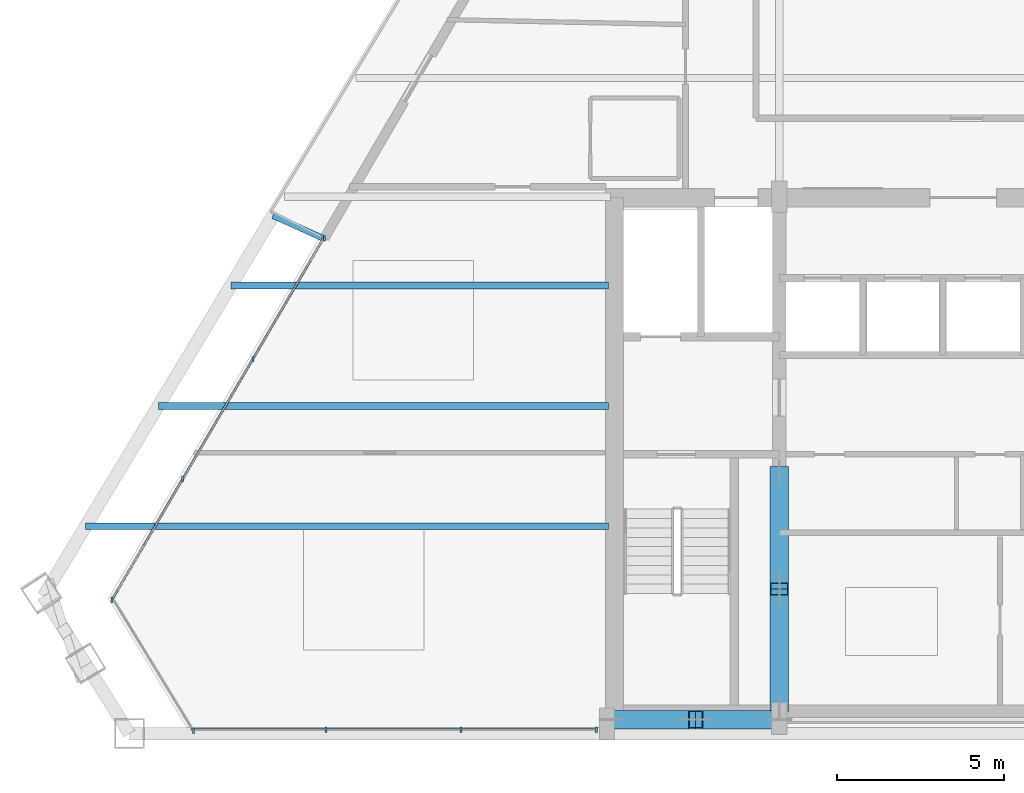
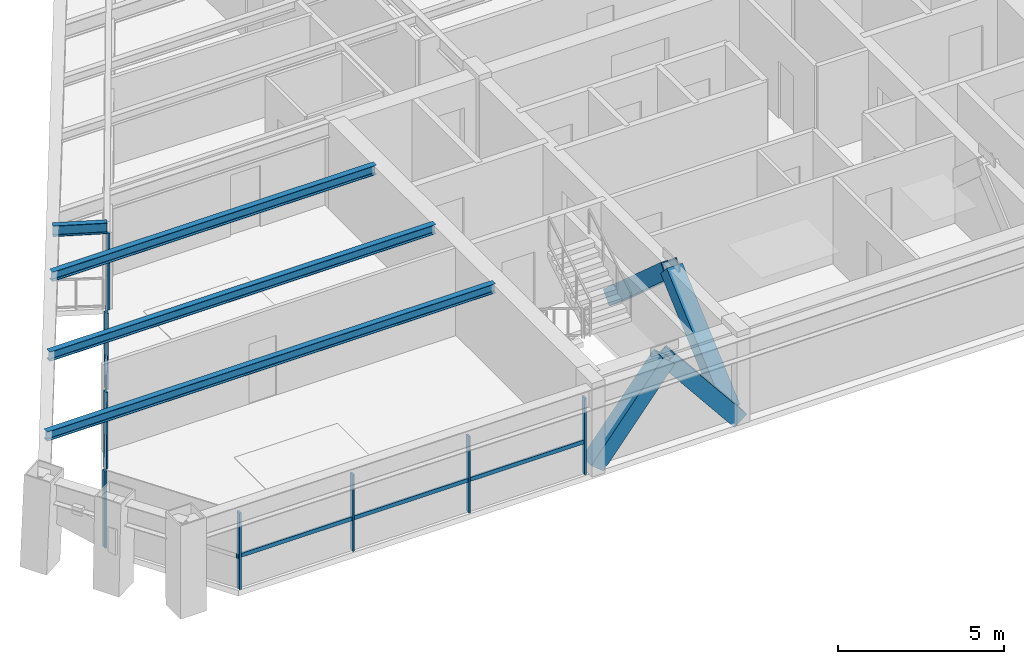
# One storey, part 2 of 13: 18 members, 4 beams, 3 elements without a shape of their own.
"""IFC4 building model written with IfcOpenShell, lengths in metres."""

from ifc_helpers import new_model, si_unit, direction, frame, origin, origin_2d, place, context, subcontext, project, spatial, rectangle, hollow_rectangle, i_section, extrude, source, transform, mapped, material, material_profile, profile_set, type_object, type_shapes, element, aggregate, save


model = new_model("IFC4")

# Units and contexts
model_context = context("Model", 3, precision=1e-05, world=origin(), true_north=direction((0.0, 1.0)))
body_context = subcontext(model_context, "Body", "Model", "MODEL_VIEW")
ifc_project = project(units=[si_unit("LENGTHUNIT", "METRE"), si_unit("AREAUNIT", "SQUARE_METRE"), si_unit("VOLUMEUNIT", "CUBIC_METRE"), si_unit("PLANEANGLEUNIT", "RADIAN"), si_unit("MASSUNIT", "GRAM", prefix="KILO")], contexts=[model_context])

# Site, building, storey
site_placement = place(None, origin())
site = spatial("IfcSite", under=ifc_project, at=site_placement, CompositionType="ELEMENT")
building_placement = place(site_placement, origin())
building = spatial("IfcBuilding", under=site, at=building_placement, Name="Varnakhor Terracotta Tower", CompositionType="ELEMENT")
storey_placement = place(building_placement, frame((0.0, 0.0, 251.050048828125)))
storey = spatial("IfcBuildingStorey", under=building, at=storey_placement, Name="L65", CompositionType="ELEMENT", Elevation=251.050048828125)

# Members
ifc_material_1 = material(Name="Steel S355", Category="steel")
ifc_material_profile_1 = material_profile(ifc_material_1, hollow_rectangle(XDim=0.550048828125, YDim=0.550048828125, WallThickness=0.034912109375, at=origin_2d()), Name="HSS550X550X35")
ifc_profile_set_1 = profile_set([ifc_material_profile_1], Name="Steel S355")
member_type_1 = type_object("IfcMemberType", Name="MBR-MEGA-550", PredefinedType="BRACE", material=ifc_profile_set_1)
shared_shape_1 = source(origin(), body_context, "Body", "SweptSolid", [
    extrude(hollow_rectangle(XDim=0.550048828125, YDim=0.550048828125, WallThickness=0.034912109375, at=origin_2d()), origin(), (0.0, 0.0, 1.0), 4.650146484375),
])
member_1_placement = place(storey_placement, frame((-5.5, 7.800048828125, 0.0), z_axis=(0.0, -0.747316617832, 0.664468112638), x_axis=(1.0, 0.0, 0.0)))
element("IfcMember", 1, at=member_1_placement, inside=storey, type_object=member_type_1, Name="L65 Core Coupled Brace CWWB", PredefinedType="BRACE", context=body_context, shape_type="MappedRepresentation", body=[
    mapped(shared_shape_1, transform((0.0, 0.0, 0.0), scale=1.0)),
])
shared_shape_2 = source(origin(), body_context, "Body", "SweptSolid", [
    extrude(hollow_rectangle(XDim=0.550048828125, YDim=0.550048828125, WallThickness=0.034912109375, at=origin_2d()), origin(), (0.0, 0.0, 1.0), 3.974609375),
])
for number, where, z_axis, x_axis, name in (
    (2, (-10.5, 0.419921875, 0.0), (0.629000299358, 0.0, 0.777405057488), (0.0, 1.0, 0.0), "L65 Core Coupled Brace CSWA"),
    (3, (-5.5, 0.419921875, 0.0), (-0.629000299358, 0.0, 0.777405057488), (0.0, -1.0, 0.0), "L65 Core Coupled Brace CSWB"),
):
    element("IfcMember", number, at=place(storey_placement, frame(where, z_axis=z_axis, x_axis=x_axis)), inside=storey, type_object=member_type_1, Name=name, PredefinedType="BRACE", context=body_context, shape_type="MappedRepresentation", body=[
        mapped(shared_shape_2, transform((0.0, 0.0, 0.0), scale=1.0)),
    ])
shared_shape_3 = source(origin(), body_context, "Body", "SweptSolid", [
    extrude(hollow_rectangle(XDim=0.550048828125, YDim=0.550048828125, WallThickness=0.034912109375, at=origin_2d()), origin(), (0.0, 0.0, 1.0), 4.64990234375),
])
member_2_placement = place(storey_placement, frame((-5.5, 0.85009765625, 0.0), z_axis=(0.0, 0.747293435799, 0.664494184182), x_axis=(-1.0, 0.0, 0.0)))
element("IfcMember", 4, at=member_2_placement, inside=storey, type_object=member_type_1, Name="L65 Core Coupled Brace CWWA", PredefinedType="BRACE", context=body_context, shape_type="MappedRepresentation", body=[
    mapped(shared_shape_3, transform((0.0, 0.0, 0.0), scale=1.0)),
])

# Beams
ifc_material_profile_2 = material_profile(ifc_material_1, i_section(OverallWidth=0.202880859375, OverallDepth=0.346923828125, WebThickness=0.0078125, FlangeThickness=0.013427734375, FilletRadius=0.01806640625, at=origin_2d()), Name="W14X43")
ifc_profile_set_2 = profile_set([ifc_material_profile_2], Name="Steel S355")
beam_type_1 = type_object("IfcBeamType", Name="JST-W14X43", PredefinedType="JOIST", material=ifc_profile_set_2)
shared_shape_4 = source(origin(), body_context, "Body", "SweptSolid", [
    extrude(i_section(OverallWidth=0.202880859375, OverallDepth=0.346923828125, WebThickness=0.0078125, FlangeThickness=0.013427734375, FilletRadius=0.01806640625, at=origin_2d()), origin(), (0.0, 0.0, 1.0), 11.29443359375),
])
beam_1_placement = place(storey_placement, frame((-21.89453125, 13.39990234375, 3.06640625), z_axis=(1.0, 0.0, 0.0), x_axis=(0.0, 1.0, 0.0)))
element("IfcBeam", 5, at=beam_1_placement, inside=storey, type_object=beam_type_1, Name="L65 Floor Joist W3", PredefinedType="JOIST", context=body_context, shape_type="MappedRepresentation", body=[
    mapped(shared_shape_4, transform((0.0, 0.0, 0.0), scale=1.0)),
])
shared_shape_5 = source(origin(), body_context, "Body", "SweptSolid", [
    extrude(i_section(OverallWidth=0.202880859375, OverallDepth=0.346923828125, WebThickness=0.0078125, FlangeThickness=0.013427734375, FilletRadius=0.01806640625, at=origin_2d()), origin(), (0.0, 0.0, 1.0), 15.6376953125),
])
beam_2_placement = place(storey_placement, frame((-26.23779296875, 6.199951171875, 3.06640625), z_axis=(1.0, 0.0, 0.0), x_axis=(0.0, 1.0, 0.0)))
element("IfcBeam", 6, at=beam_2_placement, inside=storey, type_object=beam_type_1, Name="L65 Floor Joist W1", PredefinedType="JOIST", context=body_context, shape_type="MappedRepresentation", body=[
    mapped(shared_shape_5, transform((0.0, 0.0, 0.0), scale=1.0)),
])
shared_shape_6 = source(origin(), body_context, "Body", "SweptSolid", [
    extrude(i_section(OverallWidth=0.202880859375, OverallDepth=0.346923828125, WebThickness=0.0078125, FlangeThickness=0.013427734375, FilletRadius=0.01806640625, at=origin_2d()), origin(), (0.0, 0.0, 1.0), 13.466064453125),
])
beam_3_placement = place(storey_placement, frame((-24.066162109375, 9.800048828125, 3.06640625), z_axis=(1.0, 0.0, 0.0), x_axis=(0.0, 1.0, 0.0)))
element("IfcBeam", 7, at=beam_3_placement, inside=storey, type_object=beam_type_1, Name="L65 Floor Joist W2", PredefinedType="JOIST", context=body_context, shape_type="MappedRepresentation", body=[
    mapped(shared_shape_6, transform((0.0, 0.0, 0.0), scale=1.0)),
])

# Curtain wall, members
ifc_material_2 = material(Name="Anodised Aluminium Curtain Wall System", Category="aluminium")
curtain_wall_type = type_object("IfcCurtainWallType", Name="CW-SYS-HOTEL-LOGGIA", PredefinedType="NOTDEFINED", material=ifc_material_2)
curtain_wall_1_placement = place(storey_placement, origin())
curtain_wall_1 = element("IfcCurtainWall", 8, at=curtain_wall_1_placement, inside=storey, type_object=curtain_wall_type, Name="L65 W Facet Curtain Wall 1", PredefinedType="NOTDEFINED")
ifc_material_3 = material(Name="Anodised Aluminium 6063-T6", Category="aluminium")
ifc_material_profile_3 = material_profile(ifc_material_3, rectangle(XDim=0.06494140625, YDim=0.159912109375, at=origin_2d()), Name="ALU MULLION 65x160")
ifc_profile_set_3 = profile_set([ifc_material_profile_3], Name="Anodised Aluminium 6063-T6")
member_type_2 = type_object("IfcMemberType", Name="CWM-04", PredefinedType="MULLION", material=ifc_profile_set_3)
shared_shape_7 = source(origin(), body_context, "Body", "SweptSolid", [
    extrude(rectangle(XDim=0.06494140625, YDim=0.159912109375, at=origin_2d()), origin(), (0.0, 0.0, 1.0), 2.820068359375),
])
type_shapes(member_type_2, [shared_shape_7])
member_3_placement = place(storey_placement, frame((-25.4482421875, 4.003662109375, 0.0), z_axis=(0.0, 0.0, 1.0), x_axis=(1.0, 0.0, 0.0)))
member_3 = element("IfcMember", 9, at=member_3_placement, type_object=member_type_2, Name="L65 W Facet Curtain Wall 1 Mullion 1", PredefinedType="MULLION", context=body_context, shape_type="MappedRepresentation", body=[
    mapped(shared_shape_7, transform((0.0, 0.0, 0.0), scale=1.0)),
])
member_4_placement = place(storey_placement, frame((-23.3427734375, 7.60205078125, 0.0), z_axis=(0.0, 0.0, 1.0), x_axis=(1.0, 0.0, 0.0)))
member_4 = element("IfcMember", 10, at=member_4_placement, type_object=member_type_2, Name="L65 W Facet Curtain Wall 1 Mullion 2", PredefinedType="MULLION", context=body_context, shape_type="MappedRepresentation", body=[
    mapped(shared_shape_7, transform((0.0, 0.0, 0.0), scale=1.0)),
])
member_5_placement = place(storey_placement, frame((-21.2373046875, 11.2001953125, 0.0), z_axis=(0.0, 0.0, 1.0), x_axis=(1.0, 0.0, 0.0)))
member_5 = element("IfcMember", 11, at=member_5_placement, type_object=member_type_2, Name="L65 W Facet Curtain Wall 1 Mullion 3", PredefinedType="MULLION", context=body_context, shape_type="MappedRepresentation", body=[
    mapped(shared_shape_7, transform((0.0, 0.0, 0.0), scale=1.0)),
])
member_6_placement = place(storey_placement, frame((-19.099365234375, 14.814453125, 0.0), z_axis=(0.0, 0.0, 1.0), x_axis=(1.0, 0.0, 0.0)))
member_6 = element("IfcMember", 12, at=member_6_placement, type_object=member_type_2, Name="L65 W Loggia Jamb Closure Mullion 1", PredefinedType="MULLION", context=body_context, shape_type="MappedRepresentation", body=[
    mapped(shared_shape_7, transform((0.0, 0.0, 0.0), scale=1.0)),
])

curtain_wall_2_placement = place(storey_placement, origin())
curtain_wall_2 = element("IfcCurtainWall", 13, at=curtain_wall_2_placement, inside=storey, type_object=curtain_wall_type, Name="L65 South Wing Curtain Wall SSW", PredefinedType="NOTDEFINED")
member_7_placement = place(storey_placement, frame((-10.969970703125, 0.1201171875, 0.0), z_axis=(0.0, 0.0, 1.0), x_axis=(1.0, 0.0, 0.0)))
member_7 = element("IfcMember", 14, at=member_7_placement, type_object=member_type_2, Name="L65 South Wing Curtain Wall SSW Mullion 1", PredefinedType="MULLION", context=body_context, shape_type="MappedRepresentation", body=[
    mapped(shared_shape_7, transform((0.0, 0.0, 0.0), scale=1.0)),
])
member_8_placement = place(storey_placement, frame((-15.010498046875, 0.1201171875, 0.0), z_axis=(0.0, 0.0, 1.0), x_axis=(1.0, 0.0, 0.0)))
member_8 = element("IfcMember", 15, at=member_8_placement, type_object=member_type_2, Name="L65 South Wing Curtain Wall SSW Mullion 2", PredefinedType="MULLION", context=body_context, shape_type="MappedRepresentation", body=[
    mapped(shared_shape_7, transform((0.0, 0.0, 0.0), scale=1.0)),
])
member_9_placement = place(storey_placement, frame((-19.05126953125, 0.1201171875, 0.0), z_axis=(0.0, 0.0, 1.0), x_axis=(1.0, 0.0, 0.0)))
member_9 = element("IfcMember", 16, at=member_9_placement, type_object=member_type_2, Name="L65 South Wing Curtain Wall SSW Mullion 3", PredefinedType="MULLION", context=body_context, shape_type="MappedRepresentation", body=[
    mapped(shared_shape_7, transform((0.0, 0.0, 0.0), scale=1.0)),
])

# Curtain wall, member
curtain_wall_3_placement = place(storey_placement, origin())
curtain_wall_3 = element("IfcCurtainWall", 17, at=curtain_wall_3_placement, inside=storey, type_object=curtain_wall_type, Name="L65 Facet Curtain Wall 6", PredefinedType="NOTDEFINED")
member_10_placement = place(storey_placement, frame((-23.01513671875, 0.088134765625, 0.0), z_axis=(0.0, 0.0, 1.0), x_axis=(1.0, 0.0, 0.0)))
member_10 = element("IfcMember", 18, at=member_10_placement, type_object=member_type_2, Name="L65 Facet Curtain Wall 6 Mullion 1", PredefinedType="MULLION", context=body_context, shape_type="MappedRepresentation", body=[
    mapped(shared_shape_7, transform((0.0, 0.0, 0.0), scale=1.0)),
])
aggregate(curtain_wall_3, [member_10])

# Member
ifc_material_profile_4 = material_profile(ifc_material_3, rectangle(XDim=0.06494140625, YDim=0.14501953125, at=origin_2d()), Name="ALU TRANSOM 65x145")
ifc_profile_set_4 = profile_set([ifc_material_profile_4], Name="Anodised Aluminium 6063-T6")
member_type_3 = type_object("IfcMemberType", Name="CWT-04", PredefinedType="USERDEFINED", material=ifc_profile_set_4)
shared_shape_8 = source(origin(), body_context, "Body", "SweptSolid", [
    extrude(rectangle(XDim=0.06494140625, YDim=0.14501953125, at=origin_2d()), origin(), (0.0, 0.0, 1.0), 4.04052734375),
])
member_11_placement = place(storey_placement, frame((-10.969970703125, 0.1201171875, 1.184326171875), z_axis=(-1.0, 0.0, 0.0), x_axis=(0.0, -1.0, 0.0)))
member_11 = element("IfcMember", 19, at=member_11_placement, type_object=member_type_3, Name="L65 South Wing Curtain Wall SSW Transom 1", ObjectType="TRANSOM", PredefinedType="USERDEFINED", context=body_context, shape_type="MappedRepresentation", body=[
    mapped(shared_shape_8, transform((0.0, 0.0, 0.0), scale=1.0)),
])

member_12_placement = place(storey_placement, frame((-19.05126953125, 0.1201171875, 1.184326171875), z_axis=(-1.0, 0.0, 0.0), x_axis=(0.0, -1.0, 0.0)))
member_12 = element("IfcMember", 20, at=member_12_placement, type_object=member_type_3, Name="L65 South Wing Curtain Wall SSW Transom 3", ObjectType="TRANSOM", PredefinedType="USERDEFINED", context=body_context, shape_type="MappedRepresentation", body=[
    mapped(shared_shape_8, transform((0.0, 0.0, 0.0), scale=1.0)),
])

shared_shape_9 = source(origin(), body_context, "Body", "SweptSolid", [
    extrude(rectangle(XDim=0.06494140625, YDim=0.14501953125, at=origin_2d()), origin(), (0.0, 0.0, 1.0), 4.040771484375),
])
member_13_placement = place(storey_placement, frame((-15.010498046875, 0.1201171875, 1.184326171875), z_axis=(-1.0, 0.0, 0.0), x_axis=(0.0, -1.0, 0.0)))
member_13 = element("IfcMember", 21, at=member_13_placement, type_object=member_type_3, Name="L65 South Wing Curtain Wall SSW Transom 2", ObjectType="TRANSOM", PredefinedType="USERDEFINED", context=body_context, shape_type="MappedRepresentation", body=[
    mapped(shared_shape_9, transform((0.0, 0.0, 0.0), scale=1.0)),
])

aggregate(curtain_wall_2, [member_7, member_11, member_8, member_13, member_9, member_12])

shared_shape_10 = source(origin(), body_context, "Body", "SweptSolid", [
    extrude(rectangle(XDim=0.06494140625, YDim=0.14501953125, at=origin_2d()), origin(), (0.0, 0.0, 1.0), 4.169189453125),
])
member_14_placement = place(storey_placement, frame((-25.4482421875, 4.003662109375, 1.184326171875), z_axis=(0.505017498829, 0.863109104272, 0.0), x_axis=(-0.863109104272, 0.505017498829, 0.0)))
member_14 = element("IfcMember", 22, at=member_14_placement, type_object=member_type_3, Name="L65 W Facet Curtain Wall 1 Transom 1", ObjectType="TRANSOM", PredefinedType="USERDEFINED", context=body_context, shape_type="MappedRepresentation", body=[
    mapped(shared_shape_10, transform((0.0, 0.0, 0.0), scale=1.0)),
])

member_15_placement = place(storey_placement, frame((-21.2373046875, 11.2001953125, 1.184326171875), z_axis=(0.505061121254, 0.863083578686, 0.0), x_axis=(-0.863083578686, 0.505061121254, 0.0)))
member_15 = element("IfcMember", 23, at=member_15_placement, type_object=member_type_3, Name="L65 W Facet Curtain Wall 1 Transom 3", ObjectType="TRANSOM", PredefinedType="USERDEFINED", context=body_context, shape_type="MappedRepresentation", body=[
    mapped(shared_shape_10, transform((0.0, 0.0, 0.0), scale=1.0)),
])

shared_shape_11 = source(origin(), body_context, "Body", "SweptSolid", [
    extrude(rectangle(XDim=0.06494140625, YDim=0.14501953125, at=origin_2d()), origin(), (0.0, 0.0, 1.0), 4.1689453125),
])
member_16_placement = place(storey_placement, frame((-23.3427734375, 7.60205078125, 1.184326171875), z_axis=(0.505043025136, 0.863094167957, 0.0), x_axis=(-0.863094167957, 0.505043025136, 0.0)))
member_16 = element("IfcMember", 24, at=member_16_placement, type_object=member_type_3, Name="L65 W Facet Curtain Wall 1 Transom 2", ObjectType="TRANSOM", PredefinedType="USERDEFINED", context=body_context, shape_type="MappedRepresentation", body=[
    mapped(shared_shape_11, transform((0.0, 0.0, 0.0), scale=1.0)),
])

aggregate(curtain_wall_1, [member_3, member_14, member_4, member_16, member_5, member_15, member_6])

# Beam
ifc_material_profile_5 = material_profile(ifc_material_1, i_section(OverallWidth=0.179931640625, OverallDepth=0.39990234375, WebThickness=0.008544921875, FlangeThickness=0.013427734375, FilletRadius=0.01806640625, at=origin_2d()), Name="IPE400")
ifc_profile_set_5 = profile_set([ifc_material_profile_5], Name="Steel S355")
beam_type_2 = type_object("IfcBeamType", Name="JST-IPE400", PredefinedType="JOIST", material=ifc_profile_set_5)
shared_shape_12 = source(origin(), body_context, "Body", "SweptSolid", [
    extrude(i_section(OverallWidth=0.179931640625, OverallDepth=0.39990234375, WebThickness=0.008544921875, FlangeThickness=0.013427734375, FilletRadius=0.01806640625, at=origin_2d()), origin(), (0.0, 0.0, 1.0), 1.6494140625),
])
beam_4_placement = place(storey_placement, frame((-19.1337890625, 14.8046875, 3.0400390625), z_axis=(-0.910199115758, 0.414170942575, 0.0), x_axis=(-0.414170942575, -0.910199115758, 0.0)))
element("IfcBeam", 25, at=beam_4_placement, inside=storey, type_object=beam_type_2, Name="L66 W Loggia Tie Beam 1", PredefinedType="JOIST", context=body_context, shape_type="MappedRepresentation", body=[
    mapped(shared_shape_12, transform((0.0, 0.0, 0.0), scale=1.0)),
])

save(model, "model.ifc")
